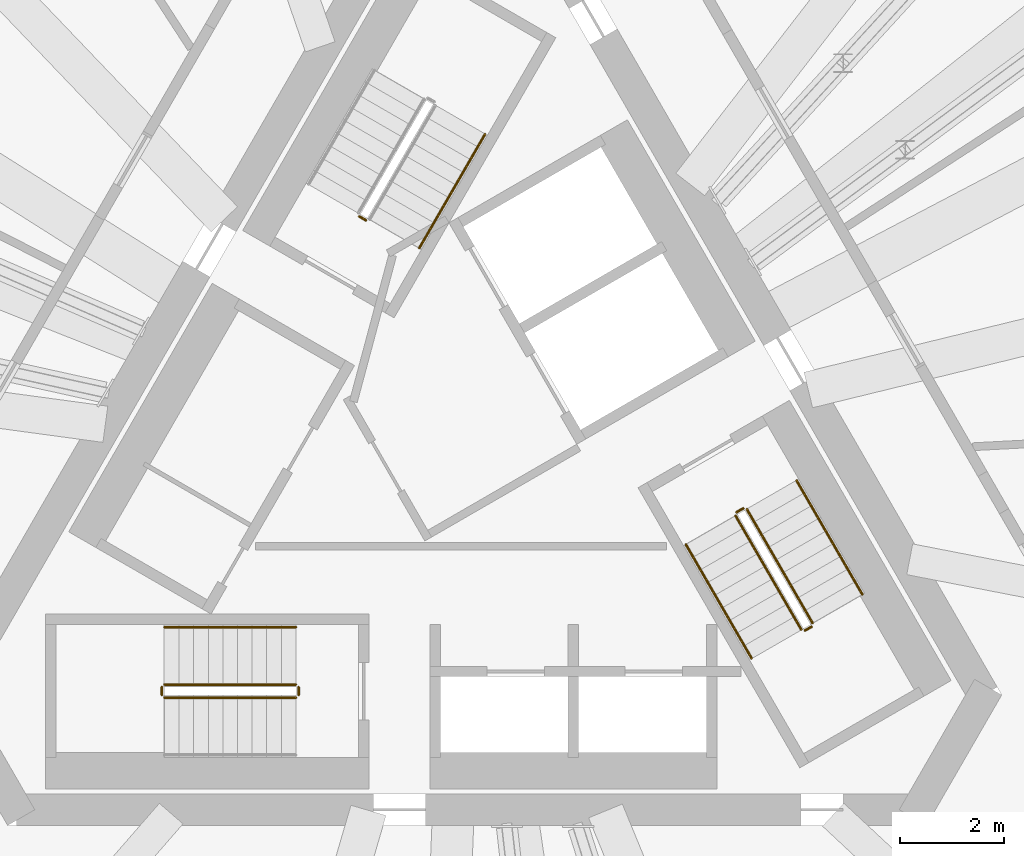
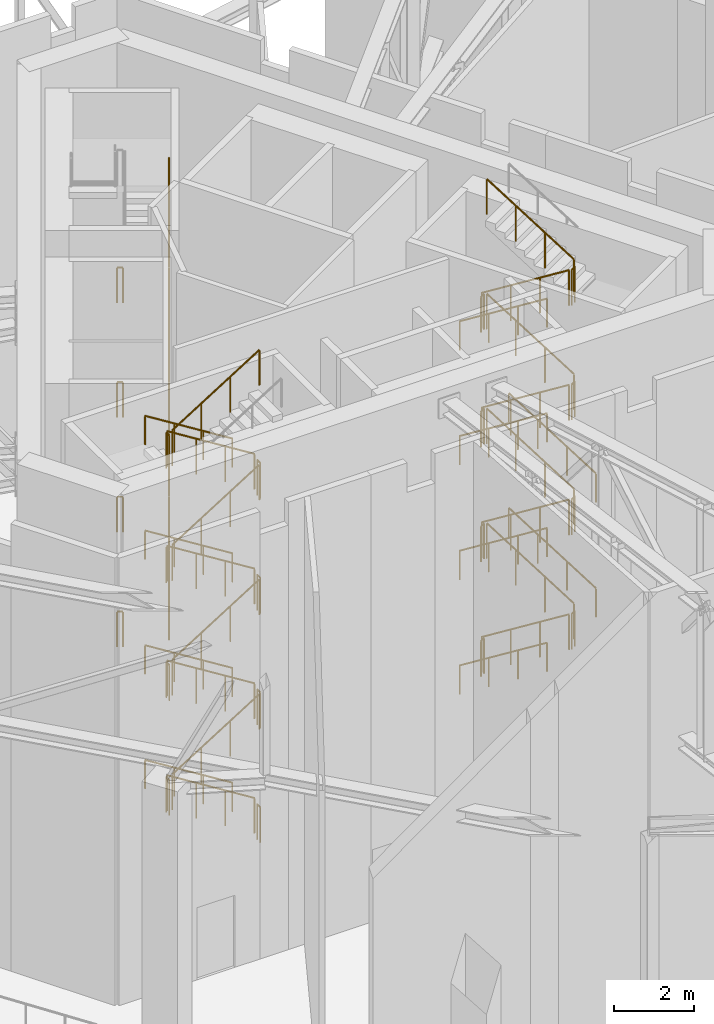
# One storey, part 21 of 23: 50 railings.
"""IFC4 building model written with IfcOpenShell, lengths in metres."""

from ifc_helpers import new_model, si_unit, direction, frame, origin, origin_2d, place, context, subcontext, project, spatial, circle, extrude, material, type_object, element, save


model = new_model("IFC4")

# Units and contexts
model_context = context("Model", 3, precision=1e-05, world=origin(), true_north=direction((0.0, 1.0)))
body_context = subcontext(model_context, "Body", "Model", "MODEL_VIEW")
ifc_project = project(units=[si_unit("LENGTHUNIT", "METRE"), si_unit("AREAUNIT", "SQUARE_METRE"), si_unit("VOLUMEUNIT", "CUBIC_METRE"), si_unit("PLANEANGLEUNIT", "RADIAN"), si_unit("MASSUNIT", "GRAM", prefix="KILO")], contexts=[model_context])

# Site, building, storey
site_placement = place(None, origin())
site = spatial("IfcSite", under=ifc_project, at=site_placement, CompositionType="ELEMENT")
building_placement = place(site_placement, origin())
building = spatial("IfcBuilding", under=site, at=building_placement, Name="Tramontana Tower", CompositionType="ELEMENT")
storey_placement = place(building_placement, frame((0.0, 0.0, 306.39990234375)))
storey = spatial("IfcBuildingStorey", under=building, at=storey_placement, Name="L72", CompositionType="ELEMENT", Elevation=306.39990234375)

# Railings
ifc_material_1 = material(Name="Painted steel", Category="steel")
railing_type_1 = type_object("IfcRailingType", Name="STAIR GUARD 1100", PredefinedType="GUARDRAIL", material=ifc_material_1)
for number, where, name in (
    (1, (-1.935791015625, 4.84716796875, 3.5), "L72 ST1 stair guard 10"),
    (2, (-1.935791015625, 4.84716796875, 7.0), "L72 ST1 stair guard 12"),
    (3, (-1.935791015625, 4.84716796875, 10.5), "L72 ST1 stair guard 14"),
    (4, (-1.935791015625, 4.84716796875, 0.0), "L72 ST1 stair guard 16"),
):
    element("IfcRailing", number, at=place(storey_placement, frame(where)), inside=storey, type_object=railing_type_1, Name=name, PredefinedType="GUARDRAIL", context=body_context, shape_type="SweptSolid", body=[
        extrude(circle(Radius=0.02392578125, at=origin_2d()), frame((0.0, 0.0, 1.076171875), z_axis=(-0.865426285481, 0.501036270542, 0.0), x_axis=(-0.501036270542, -0.865426285481, 0.0)), (0.0, 0.0, 1.0), 0.150146484375),
        extrude(circle(Radius=0.02099609375, at=origin_2d()), origin(), (0.0, 0.0, 1.0), 1.052001953125),
        extrude(circle(Radius=0.02099609375, at=origin_2d()), frame((-0.1298828125, 0.0751953125, 0.0)), (0.0, 0.0, 1.0), 1.052001953125),
    ])
railing_1_placement = place(storey_placement, frame((-3.280029296875, -4.050048828125, 0.175048828125)))
element("IfcRailing", 5, at=railing_1_placement, inside=storey, type_object=railing_type_1, Name="L72 ST2 stair guard 1", PredefinedType="GUARDRAIL", context=body_context, shape_type="SweptSolid", body=[
    extrude(circle(Radius=0.02392578125, at=origin_2d()), frame((0.0, 0.0, 1.076171875), z_axis=(-0.848007534815, 0.0, 0.529984170421), x_axis=(0.0, -1.0, 0.0)), (0.0, 0.0, 1.0), 2.9716796875),
    extrude(circle(Radius=0.02099609375, at=origin_2d()), origin(), (0.0, 0.0, 1.0), 1.052001953125),
    extrude(circle(Radius=0.02099609375, at=origin_2d()), frame((-0.840087890625, 0.0, 0.52490234375)), (0.0, 0.0, 1.0), 1.052001953125),
    extrude(circle(Radius=0.02099609375, at=origin_2d()), frame((-1.679931640625, 0.0, 1.050048828125)), (0.0, 0.0, 1.0), 1.052001953125),
    extrude(circle(Radius=0.02099609375, at=origin_2d()), frame((-2.52001953125, 0.0, 1.574951171875)), (0.0, 0.0, 1.0), 1.052001953125),
])
railing_2_placement = place(storey_placement, frame((-5.800048828125, -4.300048828125, 1.925048828125)))
element("IfcRailing", 6, at=railing_2_placement, inside=storey, type_object=railing_type_1, Name="L72 ST2 stair guard 2", PredefinedType="GUARDRAIL", context=body_context, shape_type="SweptSolid", body=[
    extrude(circle(Radius=0.02392578125, at=origin_2d()), frame((0.0, 0.0, 1.076171875), z_axis=(0.848007534815, 0.0, 0.529984170421), x_axis=(0.0, 1.0, 0.0)), (0.0, 0.0, 1.0), 2.9716796875),
    extrude(circle(Radius=0.02099609375, at=origin_2d()), origin(), (0.0, 0.0, 1.0), 1.052001953125),
    extrude(circle(Radius=0.02099609375, at=origin_2d()), frame((0.840087890625, 0.0, 0.52490234375)), (0.0, 0.0, 1.0), 1.052001953125),
    extrude(circle(Radius=0.02099609375, at=origin_2d()), frame((1.679931640625, 0.0, 1.050048828125)), (0.0, 0.0, 1.0), 1.052001953125),
    extrude(circle(Radius=0.02099609375, at=origin_2d()), frame((2.52001953125, 0.0, 1.574951171875)), (0.0, 0.0, 1.0), 1.052001953125),
])
railing_3_placement = place(storey_placement, frame((-3.280029296875, -4.050048828125, 3.675048828125)))
element("IfcRailing", 7, at=railing_3_placement, inside=storey, type_object=railing_type_1, Name="L72 ST2 stair guard 3", PredefinedType="GUARDRAIL", context=body_context, shape_type="SweptSolid", body=[
    extrude(circle(Radius=0.02392578125, at=origin_2d()), frame((0.0, 0.0, 1.076171875), z_axis=(-0.848007534815, 0.0, 0.529984170421), x_axis=(0.0, -1.0, 0.0)), (0.0, 0.0, 1.0), 2.9716796875),
    extrude(circle(Radius=0.02099609375, at=origin_2d()), origin(), (0.0, 0.0, 1.0), 1.052001953125),
    extrude(circle(Radius=0.02099609375, at=origin_2d()), frame((-0.840087890625, 0.0, 0.52490234375)), (0.0, 0.0, 1.0), 1.052001953125),
    extrude(circle(Radius=0.02099609375, at=origin_2d()), frame((-1.679931640625, 0.0, 1.050048828125)), (0.0, 0.0, 1.0), 1.052001953125),
    extrude(circle(Radius=0.02099609375, at=origin_2d()), frame((-2.52001953125, 0.0, 1.574951171875)), (0.0, 0.0, 1.0), 1.052001953125),
])
railing_4_placement = place(storey_placement, frame((-5.800048828125, -4.300048828125, 5.425048828125)))
element("IfcRailing", 8, at=railing_4_placement, inside=storey, type_object=railing_type_1, Name="L72 ST2 stair guard 4", PredefinedType="GUARDRAIL", context=body_context, shape_type="SweptSolid", body=[
    extrude(circle(Radius=0.02392578125, at=origin_2d()), frame((0.0, 0.0, 1.076171875), z_axis=(0.848007534815, 0.0, 0.529984170421), x_axis=(0.0, 1.0, 0.0)), (0.0, 0.0, 1.0), 2.9716796875),
    extrude(circle(Radius=0.02099609375, at=origin_2d()), origin(), (0.0, 0.0, 1.0), 1.052001953125),
    extrude(circle(Radius=0.02099609375, at=origin_2d()), frame((0.840087890625, 0.0, 0.52490234375)), (0.0, 0.0, 1.0), 1.052001953125),
    extrude(circle(Radius=0.02099609375, at=origin_2d()), frame((1.679931640625, 0.0, 1.050048828125)), (0.0, 0.0, 1.0), 1.052001953125),
    extrude(circle(Radius=0.02099609375, at=origin_2d()), frame((2.52001953125, 0.0, 1.574951171875)), (0.0, 0.0, 1.0), 1.052001953125),
])
railing_5_placement = place(storey_placement, frame((-3.280029296875, -4.050048828125, 7.175048828125)))
element("IfcRailing", 9, at=railing_5_placement, inside=storey, type_object=railing_type_1, Name="L72 ST2 stair guard 5", PredefinedType="GUARDRAIL", context=body_context, shape_type="SweptSolid", body=[
    extrude(circle(Radius=0.02392578125, at=origin_2d()), frame((0.0, 0.0, 1.076171875), z_axis=(-0.848007534815, 0.0, 0.529984170421), x_axis=(0.0, -1.0, 0.0)), (0.0, 0.0, 1.0), 2.9716796875),
    extrude(circle(Radius=0.02099609375, at=origin_2d()), origin(), (0.0, 0.0, 1.0), 1.052001953125),
    extrude(circle(Radius=0.02099609375, at=origin_2d()), frame((-0.840087890625, 0.0, 0.52490234375)), (0.0, 0.0, 1.0), 1.052001953125),
    extrude(circle(Radius=0.02099609375, at=origin_2d()), frame((-1.679931640625, 0.0, 1.050048828125)), (0.0, 0.0, 1.0), 1.052001953125),
    extrude(circle(Radius=0.02099609375, at=origin_2d()), frame((-2.52001953125, 0.0, 1.574951171875)), (0.0, 0.0, 1.0), 1.052001953125),
])
railing_6_placement = place(storey_placement, frame((-5.800048828125, -4.300048828125, 8.925048828125)))
element("IfcRailing", 10, at=railing_6_placement, inside=storey, type_object=railing_type_1, Name="L72 ST2 stair guard 6", PredefinedType="GUARDRAIL", context=body_context, shape_type="SweptSolid", body=[
    extrude(circle(Radius=0.02392578125, at=origin_2d()), frame((0.0, 0.0, 1.076171875), z_axis=(0.848007534815, 0.0, 0.529984170421), x_axis=(0.0, 1.0, 0.0)), (0.0, 0.0, 1.0), 2.9716796875),
    extrude(circle(Radius=0.02099609375, at=origin_2d()), origin(), (0.0, 0.0, 1.0), 1.052001953125),
    extrude(circle(Radius=0.02099609375, at=origin_2d()), frame((0.840087890625, 0.0, 0.52490234375)), (0.0, 0.0, 1.0), 1.052001953125),
    extrude(circle(Radius=0.02099609375, at=origin_2d()), frame((1.679931640625, 0.0, 1.050048828125)), (0.0, 0.0, 1.0), 1.052001953125),
    extrude(circle(Radius=0.02099609375, at=origin_2d()), frame((2.52001953125, 0.0, 1.574951171875)), (0.0, 0.0, 1.0), 1.052001953125),
])
railing_7_placement = place(storey_placement, frame((-3.280029296875, -4.050048828125, 10.675048828125)))
element("IfcRailing", 11, at=railing_7_placement, inside=storey, type_object=railing_type_1, Name="L72 ST2 stair guard 7", PredefinedType="GUARDRAIL", context=body_context, shape_type="SweptSolid", body=[
    extrude(circle(Radius=0.02392578125, at=origin_2d()), frame((0.0, 0.0, 1.076171875), z_axis=(-0.848007534815, 0.0, 0.529984170421), x_axis=(0.0, -1.0, 0.0)), (0.0, 0.0, 1.0), 2.9716796875),
    extrude(circle(Radius=0.02099609375, at=origin_2d()), origin(), (0.0, 0.0, 1.0), 1.052001953125),
    extrude(circle(Radius=0.02099609375, at=origin_2d()), frame((-0.840087890625, 0.0, 0.52490234375)), (0.0, 0.0, 1.0), 1.052001953125),
    extrude(circle(Radius=0.02099609375, at=origin_2d()), frame((-1.679931640625, 0.0, 1.050048828125)), (0.0, 0.0, 1.0), 1.052001953125),
    extrude(circle(Radius=0.02099609375, at=origin_2d()), frame((-2.52001953125, 0.0, 1.574951171875)), (0.0, 0.0, 1.0), 1.052001953125),
])
railing_8_placement = place(storey_placement, frame((-5.800048828125, -4.300048828125, 12.425048828125)))
element("IfcRailing", 12, at=railing_8_placement, inside=storey, type_object=railing_type_1, Name="L72 ST2 stair guard 8", PredefinedType="GUARDRAIL", context=body_context, shape_type="SweptSolid", body=[
    extrude(circle(Radius=0.02392578125, at=origin_2d()), frame((0.0, 0.0, 1.076171875), z_axis=(0.848007534815, 0.0, 0.529984170421), x_axis=(0.0, 1.0, 0.0)), (0.0, 0.0, 1.0), 2.9716796875),
    extrude(circle(Radius=0.02099609375, at=origin_2d()), origin(), (0.0, 0.0, 1.0), 1.052001953125),
    extrude(circle(Radius=0.02099609375, at=origin_2d()), frame((0.840087890625, 0.0, 0.52490234375)), (0.0, 0.0, 1.0), 1.052001953125),
    extrude(circle(Radius=0.02099609375, at=origin_2d()), frame((1.679931640625, 0.0, 1.050048828125)), (0.0, 0.0, 1.0), 1.052001953125),
    extrude(circle(Radius=0.02099609375, at=origin_2d()), frame((2.52001953125, 0.0, 1.574951171875)), (0.0, 0.0, 1.0), 1.052001953125),
])
for number, where, name in (
    (13, (-5.85009765625, -4.10009765625, 1.75), "L72 ST2 stair guard 9"),
    (14, (-3.22998046875, -4.10009765625, 3.5), "L72 ST2 stair guard 10"),
    (15, (-5.85009765625, -4.10009765625, 5.25), "L72 ST2 stair guard 11"),
    (16, (-3.22998046875, -4.10009765625, 7.0), "L72 ST2 stair guard 12"),
    (17, (-5.85009765625, -4.10009765625, 8.75), "L72 ST2 stair guard 13"),
    (18, (-3.22998046875, -4.10009765625, 10.5), "L72 ST2 stair guard 14"),
    (19, (-5.85009765625, -4.10009765625, 12.25), "L72 ST2 stair guard 15"),
    (20, (-3.22998046875, -4.10009765625, 0.0), "L72 ST2 stair guard 16"),
):
    element("IfcRailing", number, at=place(storey_placement, frame(where)), inside=storey, type_object=railing_type_1, Name=name, PredefinedType="GUARDRAIL", context=body_context, shape_type="SweptSolid", body=[
        extrude(circle(Radius=0.02392578125, at=origin_2d()), frame((0.0, 0.0, 1.076171875), z_axis=(0.0, -1.0, 0.0), x_axis=(1.0, 0.0, 0.0)), (0.0, 0.0, 1.0), 0.14990234375),
        extrude(circle(Radius=0.02099609375, at=origin_2d()), origin(), (0.0, 0.0, 1.0), 1.052001953125),
        extrude(circle(Radius=0.02099609375, at=origin_2d()), frame((0.0, -0.14990234375, 0.0)), (0.0, 0.0, 1.0), 1.052001953125),
    ])
railing_9_placement = place(storey_placement, frame((5.1474609375, -0.815673828125, 0.175048828125)))
element("IfcRailing", 21, at=railing_9_placement, inside=storey, type_object=railing_type_1, Name="L72 ST3 stair guard 1", PredefinedType="GUARDRAIL", context=body_context, shape_type="SweptSolid", body=[
    extrude(circle(Radius=0.02392578125, at=origin_2d()), frame((0.0, 0.0, 1.076171875), z_axis=(0.42400668935, -0.73439174503, 0.529987822708), x_axis=(0.866022637375, 0.500004791531, 0.0)), (0.0, 0.0, 1.0), 2.9716796875),
    extrude(circle(Radius=0.02099609375, at=origin_2d()), origin(), (0.0, 0.0, 1.0), 1.052001953125),
    extrude(circle(Radius=0.02099609375, at=origin_2d()), frame((0.419921875, -0.7275390625, 0.52490234375)), (0.0, 0.0, 1.0), 1.052001953125),
    extrude(circle(Radius=0.02099609375, at=origin_2d()), frame((0.840087890625, -1.454833984375, 1.050048828125)), (0.0, 0.0, 1.0), 1.052001953125),
    extrude(circle(Radius=0.02099609375, at=origin_2d()), frame((1.260009765625, -2.182373046875, 1.574951171875)), (0.0, 0.0, 1.0), 1.052001953125),
])
railing_10_placement = place(storey_placement, frame((6.6240234375, -2.873046875, 1.925048828125)))
element("IfcRailing", 22, at=railing_10_placement, inside=storey, type_object=railing_type_1, Name="L72 ST3 stair guard 2", PredefinedType="GUARDRAIL", context=body_context, shape_type="SweptSolid", body=[
    extrude(circle(Radius=0.02392578125, at=origin_2d()), frame((0.0, 0.0, 1.076171875), z_axis=(-0.42400668935, 0.73439174503, 0.529987822708), x_axis=(-0.866022637375, -0.500004791531, 0.0)), (0.0, 0.0, 1.0), 2.9716796875),
    extrude(circle(Radius=0.02099609375, at=origin_2d()), origin(), (0.0, 0.0, 1.0), 1.052001953125),
    extrude(circle(Radius=0.02099609375, at=origin_2d()), frame((-0.419921875, 0.7275390625, 0.52490234375)), (0.0, 0.0, 1.0), 1.052001953125),
    extrude(circle(Radius=0.02099609375, at=origin_2d()), frame((-0.840087890625, 1.454833984375, 1.050048828125)), (0.0, 0.0, 1.0), 1.052001953125),
    extrude(circle(Radius=0.02099609375, at=origin_2d()), frame((-1.260009765625, 2.182373046875, 1.574951171875)), (0.0, 0.0, 1.0), 1.052001953125),
])
railing_11_placement = place(storey_placement, frame((5.1474609375, -0.815673828125, 3.675048828125)))
element("IfcRailing", 23, at=railing_11_placement, inside=storey, type_object=railing_type_1, Name="L72 ST3 stair guard 3", PredefinedType="GUARDRAIL", context=body_context, shape_type="SweptSolid", body=[
    extrude(circle(Radius=0.02392578125, at=origin_2d()), frame((0.0, 0.0, 1.076171875), z_axis=(0.42400668935, -0.73439174503, 0.529987822708), x_axis=(0.866022637375, 0.500004791531, 0.0)), (0.0, 0.0, 1.0), 2.9716796875),
    extrude(circle(Radius=0.02099609375, at=origin_2d()), origin(), (0.0, 0.0, 1.0), 1.052001953125),
    extrude(circle(Radius=0.02099609375, at=origin_2d()), frame((0.419921875, -0.7275390625, 0.52490234375)), (0.0, 0.0, 1.0), 1.052001953125),
    extrude(circle(Radius=0.02099609375, at=origin_2d()), frame((0.840087890625, -1.454833984375, 1.050048828125)), (0.0, 0.0, 1.0), 1.052001953125),
    extrude(circle(Radius=0.02099609375, at=origin_2d()), frame((1.260009765625, -2.182373046875, 1.574951171875)), (0.0, 0.0, 1.0), 1.052001953125),
])
railing_12_placement = place(storey_placement, frame((6.6240234375, -2.873046875, 5.425048828125)))
element("IfcRailing", 24, at=railing_12_placement, inside=storey, type_object=railing_type_1, Name="L72 ST3 stair guard 4", PredefinedType="GUARDRAIL", context=body_context, shape_type="SweptSolid", body=[
    extrude(circle(Radius=0.02392578125, at=origin_2d()), frame((0.0, 0.0, 1.076171875), z_axis=(-0.42400668935, 0.73439174503, 0.529987822708), x_axis=(-0.866022637375, -0.500004791531, 0.0)), (0.0, 0.0, 1.0), 2.9716796875),
    extrude(circle(Radius=0.02099609375, at=origin_2d()), origin(), (0.0, 0.0, 1.0), 1.052001953125),
    extrude(circle(Radius=0.02099609375, at=origin_2d()), frame((-0.419921875, 0.7275390625, 0.52490234375)), (0.0, 0.0, 1.0), 1.052001953125),
    extrude(circle(Radius=0.02099609375, at=origin_2d()), frame((-0.840087890625, 1.454833984375, 1.050048828125)), (0.0, 0.0, 1.0), 1.052001953125),
    extrude(circle(Radius=0.02099609375, at=origin_2d()), frame((-1.260009765625, 2.182373046875, 1.574951171875)), (0.0, 0.0, 1.0), 1.052001953125),
])
railing_13_placement = place(storey_placement, frame((5.1474609375, -0.815673828125, 7.175048828125)))
element("IfcRailing", 25, at=railing_13_placement, inside=storey, type_object=railing_type_1, Name="L72 ST3 stair guard 5", PredefinedType="GUARDRAIL", context=body_context, shape_type="SweptSolid", body=[
    extrude(circle(Radius=0.02392578125, at=origin_2d()), frame((0.0, 0.0, 1.076171875), z_axis=(0.42400668935, -0.73439174503, 0.529987822708), x_axis=(0.866022637375, 0.500004791531, 0.0)), (0.0, 0.0, 1.0), 2.9716796875),
    extrude(circle(Radius=0.02099609375, at=origin_2d()), origin(), (0.0, 0.0, 1.0), 1.052001953125),
    extrude(circle(Radius=0.02099609375, at=origin_2d()), frame((0.419921875, -0.7275390625, 0.52490234375)), (0.0, 0.0, 1.0), 1.052001953125),
    extrude(circle(Radius=0.02099609375, at=origin_2d()), frame((0.840087890625, -1.454833984375, 1.050048828125)), (0.0, 0.0, 1.0), 1.052001953125),
    extrude(circle(Radius=0.02099609375, at=origin_2d()), frame((1.260009765625, -2.182373046875, 1.574951171875)), (0.0, 0.0, 1.0), 1.052001953125),
])
railing_14_placement = place(storey_placement, frame((6.6240234375, -2.873046875, 8.925048828125)))
element("IfcRailing", 26, at=railing_14_placement, inside=storey, type_object=railing_type_1, Name="L72 ST3 stair guard 6", PredefinedType="GUARDRAIL", context=body_context, shape_type="SweptSolid", body=[
    extrude(circle(Radius=0.02392578125, at=origin_2d()), frame((0.0, 0.0, 1.076171875), z_axis=(-0.42400668935, 0.73439174503, 0.529987822708), x_axis=(-0.866022637375, -0.500004791531, 0.0)), (0.0, 0.0, 1.0), 2.9716796875),
    extrude(circle(Radius=0.02099609375, at=origin_2d()), origin(), (0.0, 0.0, 1.0), 1.052001953125),
    extrude(circle(Radius=0.02099609375, at=origin_2d()), frame((-0.419921875, 0.7275390625, 0.52490234375)), (0.0, 0.0, 1.0), 1.052001953125),
    extrude(circle(Radius=0.02099609375, at=origin_2d()), frame((-0.840087890625, 1.454833984375, 1.050048828125)), (0.0, 0.0, 1.0), 1.052001953125),
    extrude(circle(Radius=0.02099609375, at=origin_2d()), frame((-1.260009765625, 2.182373046875, 1.574951171875)), (0.0, 0.0, 1.0), 1.052001953125),
])
railing_15_placement = place(storey_placement, frame((5.1474609375, -0.815673828125, 10.675048828125)))
element("IfcRailing", 27, at=railing_15_placement, inside=storey, type_object=railing_type_1, Name="L72 ST3 stair guard 7", PredefinedType="GUARDRAIL", context=body_context, shape_type="SweptSolid", body=[
    extrude(circle(Radius=0.02392578125, at=origin_2d()), frame((0.0, 0.0, 1.076171875), z_axis=(0.42400668935, -0.73439174503, 0.529987822708), x_axis=(0.866022637375, 0.500004791531, 0.0)), (0.0, 0.0, 1.0), 2.9716796875),
    extrude(circle(Radius=0.02099609375, at=origin_2d()), origin(), (0.0, 0.0, 1.0), 1.052001953125),
    extrude(circle(Radius=0.02099609375, at=origin_2d()), frame((0.419921875, -0.7275390625, 0.52490234375)), (0.0, 0.0, 1.0), 1.052001953125),
    extrude(circle(Radius=0.02099609375, at=origin_2d()), frame((0.840087890625, -1.454833984375, 1.050048828125)), (0.0, 0.0, 1.0), 1.052001953125),
    extrude(circle(Radius=0.02099609375, at=origin_2d()), frame((1.260009765625, -2.182373046875, 1.574951171875)), (0.0, 0.0, 1.0), 1.052001953125),
])
railing_16_placement = place(storey_placement, frame((6.6240234375, -2.873046875, 12.425048828125)))
element("IfcRailing", 28, at=railing_16_placement, inside=storey, type_object=railing_type_1, Name="L72 ST3 stair guard 8", PredefinedType="GUARDRAIL", context=body_context, shape_type="SweptSolid", body=[
    extrude(circle(Radius=0.02392578125, at=origin_2d()), frame((0.0, 0.0, 1.076171875), z_axis=(-0.42400668935, 0.73439174503, 0.529987822708), x_axis=(-0.866022637375, -0.500004791531, 0.0)), (0.0, 0.0, 1.0), 2.9716796875),
    extrude(circle(Radius=0.02099609375, at=origin_2d()), origin(), (0.0, 0.0, 1.0), 1.052001953125),
    extrude(circle(Radius=0.02099609375, at=origin_2d()), frame((-0.419921875, 0.7275390625, 0.52490234375)), (0.0, 0.0, 1.0), 1.052001953125),
    extrude(circle(Radius=0.02099609375, at=origin_2d()), frame((-0.840087890625, 1.454833984375, 1.050048828125)), (0.0, 0.0, 1.0), 1.052001953125),
    extrude(circle(Radius=0.02099609375, at=origin_2d()), frame((-1.260009765625, 2.182373046875, 1.574951171875)), (0.0, 0.0, 1.0), 1.052001953125),
])
railing_17_placement = place(storey_placement, frame((6.4755859375, -3.016357421875, 1.75)))
element("IfcRailing", 29, at=railing_17_placement, inside=storey, type_object=railing_type_1, Name="L72 ST3 stair guard 9", PredefinedType="GUARDRAIL", context=body_context, shape_type="SweptSolid", body=[
    extrude(circle(Radius=0.02392578125, at=origin_2d()), frame((0.0, 0.0, 1.076171875), z_axis=(0.865833797362, 0.500331725305, 0.0), x_axis=(-0.500331725305, 0.865833797362, 0.0)), (0.0, 0.0, 1.0), 0.150390625),
    extrude(circle(Radius=0.02099609375, at=origin_2d()), origin(), (0.0, 0.0, 1.0), 1.052001953125),
    extrude(circle(Radius=0.02099609375, at=origin_2d()), frame((0.130126953125, 0.0751953125, 0.0)), (0.0, 0.0, 1.0), 1.052001953125),
])
railing_18_placement = place(storey_placement, frame((5.165771484375, -0.747314453125, 3.5)))
element("IfcRailing", 30, at=railing_18_placement, inside=storey, type_object=railing_type_1, Name="L72 ST3 stair guard 10", PredefinedType="GUARDRAIL", context=body_context, shape_type="SweptSolid", body=[
    extrude(circle(Radius=0.02392578125, at=origin_2d()), frame((0.0, 0.0, 1.076171875), z_axis=(0.866131372301, 0.499816412211, 0.0), x_axis=(-0.499816412211, 0.866131372301, 0.0)), (0.0, 0.0, 1.0), 0.14990234375),
    extrude(circle(Radius=0.02099609375, at=origin_2d()), origin(), (0.0, 0.0, 1.0), 1.052001953125),
    extrude(circle(Radius=0.02099609375, at=origin_2d()), frame((0.1298828125, 0.074951171875, 0.0)), (0.0, 0.0, 1.0), 1.052001953125),
])
railing_19_placement = place(storey_placement, frame((6.4755859375, -3.016357421875, 5.25)))
element("IfcRailing", 31, at=railing_19_placement, inside=storey, type_object=railing_type_1, Name="L72 ST3 stair guard 11", PredefinedType="GUARDRAIL", context=body_context, shape_type="SweptSolid", body=[
    extrude(circle(Radius=0.02392578125, at=origin_2d()), frame((0.0, 0.0, 1.076171875), z_axis=(0.865833797362, 0.500331725305, 0.0), x_axis=(-0.500331725305, 0.865833797362, 0.0)), (0.0, 0.0, 1.0), 0.150390625),
    extrude(circle(Radius=0.02099609375, at=origin_2d()), origin(), (0.0, 0.0, 1.0), 1.052001953125),
    extrude(circle(Radius=0.02099609375, at=origin_2d()), frame((0.130126953125, 0.0751953125, 0.0)), (0.0, 0.0, 1.0), 1.052001953125),
])
railing_20_placement = place(storey_placement, frame((5.165771484375, -0.747314453125, 7.0)))
element("IfcRailing", 32, at=railing_20_placement, inside=storey, type_object=railing_type_1, Name="L72 ST3 stair guard 12", PredefinedType="GUARDRAIL", context=body_context, shape_type="SweptSolid", body=[
    extrude(circle(Radius=0.02392578125, at=origin_2d()), frame((0.0, 0.0, 1.076171875), z_axis=(0.866131372301, 0.499816412211, 0.0), x_axis=(-0.499816412211, 0.866131372301, 0.0)), (0.0, 0.0, 1.0), 0.14990234375),
    extrude(circle(Radius=0.02099609375, at=origin_2d()), origin(), (0.0, 0.0, 1.0), 1.052001953125),
    extrude(circle(Radius=0.02099609375, at=origin_2d()), frame((0.1298828125, 0.074951171875, 0.0)), (0.0, 0.0, 1.0), 1.052001953125),
])
railing_21_placement = place(storey_placement, frame((6.4755859375, -3.016357421875, 8.75)))
element("IfcRailing", 33, at=railing_21_placement, inside=storey, type_object=railing_type_1, Name="L72 ST3 stair guard 13", PredefinedType="GUARDRAIL", context=body_context, shape_type="SweptSolid", body=[
    extrude(circle(Radius=0.02392578125, at=origin_2d()), frame((0.0, 0.0, 1.076171875), z_axis=(0.865833797362, 0.500331725305, 0.0), x_axis=(-0.500331725305, 0.865833797362, 0.0)), (0.0, 0.0, 1.0), 0.150390625),
    extrude(circle(Radius=0.02099609375, at=origin_2d()), origin(), (0.0, 0.0, 1.0), 1.052001953125),
    extrude(circle(Radius=0.02099609375, at=origin_2d()), frame((0.130126953125, 0.0751953125, 0.0)), (0.0, 0.0, 1.0), 1.052001953125),
])
railing_22_placement = place(storey_placement, frame((5.165771484375, -0.747314453125, 10.5)))
element("IfcRailing", 34, at=railing_22_placement, inside=storey, type_object=railing_type_1, Name="L72 ST3 stair guard 14", PredefinedType="GUARDRAIL", context=body_context, shape_type="SweptSolid", body=[
    extrude(circle(Radius=0.02392578125, at=origin_2d()), frame((0.0, 0.0, 1.076171875), z_axis=(0.866131372301, 0.499816412211, 0.0), x_axis=(-0.499816412211, 0.866131372301, 0.0)), (0.0, 0.0, 1.0), 0.14990234375),
    extrude(circle(Radius=0.02099609375, at=origin_2d()), origin(), (0.0, 0.0, 1.0), 1.052001953125),
    extrude(circle(Radius=0.02099609375, at=origin_2d()), frame((0.1298828125, 0.074951171875, 0.0)), (0.0, 0.0, 1.0), 1.052001953125),
])
railing_23_placement = place(storey_placement, frame((6.4755859375, -3.016357421875, 12.25)))
element("IfcRailing", 35, at=railing_23_placement, inside=storey, type_object=railing_type_1, Name="L72 ST3 stair guard 15", PredefinedType="GUARDRAIL", context=body_context, shape_type="SweptSolid", body=[
    extrude(circle(Radius=0.02392578125, at=origin_2d()), frame((0.0, 0.0, 1.076171875), z_axis=(0.865833797362, 0.500331725305, 0.0), x_axis=(-0.500331725305, 0.865833797362, 0.0)), (0.0, 0.0, 1.0), 0.150390625),
    extrude(circle(Radius=0.02099609375, at=origin_2d()), origin(), (0.0, 0.0, 1.0), 1.052001953125),
    extrude(circle(Radius=0.02099609375, at=origin_2d()), frame((0.130126953125, 0.0751953125, 0.0)), (0.0, 0.0, 1.0), 1.052001953125),
])
railing_24_placement = place(storey_placement, frame((5.165771484375, -0.747314453125, 0.0)))
element("IfcRailing", 36, at=railing_24_placement, inside=storey, type_object=railing_type_1, Name="L72 ST3 stair guard 16", PredefinedType="GUARDRAIL", context=body_context, shape_type="SweptSolid", body=[
    extrude(circle(Radius=0.02392578125, at=origin_2d()), frame((0.0, 0.0, 1.076171875), z_axis=(0.866131372301, 0.499816412211, 0.0), x_axis=(-0.499816412211, 0.866131372301, 0.0)), (0.0, 0.0, 1.0), 0.14990234375),
    extrude(circle(Radius=0.02099609375, at=origin_2d()), origin(), (0.0, 0.0, 1.0), 1.052001953125),
    extrude(circle(Radius=0.02099609375, at=origin_2d()), frame((0.1298828125, 0.074951171875, 0.0)), (0.0, 0.0, 1.0), 1.052001953125),
])
ifc_material_2 = material(Name="Painted steel", Category="steel")
railing_type_2 = type_object("IfcRailingType", Name="STAIR HANDRAIL 900", PredefinedType="HANDRAIL", material=ifc_material_2)
for number, where, name in (
    (37, (-0.914794921875, 4.315673828125, 0.175048828125), "L72 ST1 stair handrail 1"),
    (38, (-0.914794921875, 4.315673828125, 3.675048828125), "L72 ST1 stair handrail 3"),
    (39, (-0.914794921875, 4.315673828125, 7.175048828125), "L72 ST1 stair handrail 5"),
    (40, (-0.914794921875, 4.315673828125, 10.675048828125), "L72 ST1 stair handrail 7"),
):
    element("IfcRailing", number, at=place(storey_placement, frame(where)), inside=storey, type_object=railing_type_2, Name=name, PredefinedType="HANDRAIL", context=body_context, shape_type="SweptSolid", body=[
        extrude(circle(Radius=0.02392578125, at=origin_2d()), frame((0.0, 0.0, 0.8759765625), z_axis=(0.42400668935, 0.73439174503, 0.529987822708), x_axis=(-0.866022637375, 0.500004791531, 0.0)), (0.0, 0.0, 1.0), 2.9716796875),
        extrude(circle(Radius=0.02099609375, at=origin_2d()), origin(), (0.0, 0.0, 1.0), 0.851806640625),
        extrude(circle(Radius=0.02099609375, at=origin_2d()), frame((0.419921875, 0.7275390625, 0.52490234375)), (0.0, 0.0, 1.0), 0.851806640625),
        extrude(circle(Radius=0.02099609375, at=origin_2d()), frame((0.840087890625, 1.454833984375, 1.050048828125)), (0.0, 0.0, 1.0), 0.851806640625),
        extrude(circle(Radius=0.02099609375, at=origin_2d()), frame((1.260009765625, 2.182373046875, 1.574951171875)), (0.0, 0.0, 1.0), 0.851806640625),
    ])
for number, where, name in (
    (41, (-3.280029296875, -2.949951171875, 0.175048828125), "L72 ST2 stair handrail 1"),
    (42, (-3.280029296875, -2.949951171875, 3.675048828125), "L72 ST2 stair handrail 3"),
    (43, (-3.280029296875, -2.949951171875, 7.175048828125), "L72 ST2 stair handrail 5"),
    (44, (-3.280029296875, -2.949951171875, 10.675048828125), "L72 ST2 stair handrail 7"),
):
    element("IfcRailing", number, at=place(storey_placement, frame(where)), inside=storey, type_object=railing_type_2, Name=name, PredefinedType="HANDRAIL", context=body_context, shape_type="SweptSolid", body=[
        extrude(circle(Radius=0.02392578125, at=origin_2d()), frame((0.0, 0.0, 0.8759765625), z_axis=(-0.848007534815, 0.0, 0.529984170421), x_axis=(0.0, -1.0, 0.0)), (0.0, 0.0, 1.0), 2.9716796875),
        extrude(circle(Radius=0.02099609375, at=origin_2d()), origin(), (0.0, 0.0, 1.0), 0.851806640625),
        extrude(circle(Radius=0.02099609375, at=origin_2d()), frame((-0.840087890625, 0.0, 0.52490234375)), (0.0, 0.0, 1.0), 0.851806640625),
        extrude(circle(Radius=0.02099609375, at=origin_2d()), frame((-1.679931640625, 0.0, 1.050048828125)), (0.0, 0.0, 1.0), 0.851806640625),
        extrude(circle(Radius=0.02099609375, at=origin_2d()), frame((-2.52001953125, 0.0, 1.574951171875)), (0.0, 0.0, 1.0), 0.851806640625),
    ])
railing_25_placement = place(storey_placement, frame((4.19482421875, -1.365478515625, 0.175048828125)))
element("IfcRailing", 45, at=railing_25_placement, inside=storey, type_object=railing_type_2, Name="L72 ST3 stair handrail 1", PredefinedType="HANDRAIL", context=body_context, shape_type="SweptSolid", body=[
    extrude(circle(Radius=0.02392578125, at=origin_2d()), frame((0.0, 0.0, 0.8759765625), z_axis=(0.42400668935, -0.73439174503, 0.529987822708), x_axis=(0.866022637375, 0.500004791531, 0.0)), (0.0, 0.0, 1.0), 2.9716796875),
    extrude(circle(Radius=0.02099609375, at=origin_2d()), origin(), (0.0, 0.0, 1.0), 0.851806640625),
    extrude(circle(Radius=0.02099609375, at=origin_2d()), frame((0.419921875, -0.7275390625, 0.52490234375)), (0.0, 0.0, 1.0), 0.851806640625),
    extrude(circle(Radius=0.02099609375, at=origin_2d()), frame((0.840087890625, -1.454833984375, 1.050048828125)), (0.0, 0.0, 1.0), 0.851806640625),
    extrude(circle(Radius=0.02099609375, at=origin_2d()), frame((1.260009765625, -2.182373046875, 1.574951171875)), (0.0, 0.0, 1.0), 0.851806640625),
])
railing_26_placement = place(storey_placement, frame((7.576416015625, -2.322998046875, 1.925048828125)))
element("IfcRailing", 46, at=railing_26_placement, inside=storey, type_object=railing_type_2, Name="L72 ST3 stair handrail 2", PredefinedType="HANDRAIL", context=body_context, shape_type="SweptSolid", body=[
    extrude(circle(Radius=0.02392578125, at=origin_2d()), frame((0.0, 0.0, 0.8759765625), z_axis=(-0.42393930004, 0.734417326174, 0.530006283829), x_axis=(-0.866064587494, -0.499932125682, 0.0)), (0.0, 0.0, 1.0), 2.9716796875),
    extrude(circle(Radius=0.02099609375, at=origin_2d()), origin(), (0.0, 0.0, 1.0), 0.851806640625),
    extrude(circle(Radius=0.02099609375, at=origin_2d()), frame((-0.419921875, 0.7275390625, 0.52490234375)), (0.0, 0.0, 1.0), 0.851806640625),
    extrude(circle(Radius=0.02099609375, at=origin_2d()), frame((-0.83984375, 1.454833984375, 1.050048828125)), (0.0, 0.0, 1.0), 0.851806640625),
    extrude(circle(Radius=0.02099609375, at=origin_2d()), frame((-1.259765625, 2.182373046875, 1.574951171875)), (0.0, 0.0, 1.0), 0.851806640625),
])
railing_27_placement = place(storey_placement, frame((4.19482421875, -1.365478515625, 3.675048828125)))
element("IfcRailing", 47, at=railing_27_placement, inside=storey, type_object=railing_type_2, Name="L72 ST3 stair handrail 3", PredefinedType="HANDRAIL", context=body_context, shape_type="SweptSolid", body=[
    extrude(circle(Radius=0.02392578125, at=origin_2d()), frame((0.0, 0.0, 0.8759765625), z_axis=(0.42400668935, -0.73439174503, 0.529987822708), x_axis=(0.866022637375, 0.500004791531, 0.0)), (0.0, 0.0, 1.0), 2.9716796875),
    extrude(circle(Radius=0.02099609375, at=origin_2d()), origin(), (0.0, 0.0, 1.0), 0.851806640625),
    extrude(circle(Radius=0.02099609375, at=origin_2d()), frame((0.419921875, -0.7275390625, 0.52490234375)), (0.0, 0.0, 1.0), 0.851806640625),
    extrude(circle(Radius=0.02099609375, at=origin_2d()), frame((0.840087890625, -1.454833984375, 1.050048828125)), (0.0, 0.0, 1.0), 0.851806640625),
    extrude(circle(Radius=0.02099609375, at=origin_2d()), frame((1.260009765625, -2.182373046875, 1.574951171875)), (0.0, 0.0, 1.0), 0.851806640625),
])
railing_28_placement = place(storey_placement, frame((7.576416015625, -2.322998046875, 5.425048828125)))
element("IfcRailing", 48, at=railing_28_placement, inside=storey, type_object=railing_type_2, Name="L72 ST3 stair handrail 4", PredefinedType="HANDRAIL", context=body_context, shape_type="SweptSolid", body=[
    extrude(circle(Radius=0.02392578125, at=origin_2d()), frame((0.0, 0.0, 0.8759765625), z_axis=(-0.42393930004, 0.734417326174, 0.530006283829), x_axis=(-0.866064587494, -0.499932125682, 0.0)), (0.0, 0.0, 1.0), 2.9716796875),
    extrude(circle(Radius=0.02099609375, at=origin_2d()), origin(), (0.0, 0.0, 1.0), 0.851806640625),
    extrude(circle(Radius=0.02099609375, at=origin_2d()), frame((-0.419921875, 0.7275390625, 0.52490234375)), (0.0, 0.0, 1.0), 0.851806640625),
    extrude(circle(Radius=0.02099609375, at=origin_2d()), frame((-0.83984375, 1.454833984375, 1.050048828125)), (0.0, 0.0, 1.0), 0.851806640625),
    extrude(circle(Radius=0.02099609375, at=origin_2d()), frame((-1.259765625, 2.182373046875, 1.574951171875)), (0.0, 0.0, 1.0), 0.851806640625),
])
for number, where, name in (
    (49, (4.19482421875, -1.365478515625, 7.175048828125), "L72 ST3 stair handrail 5"),
    (50, (4.19482421875, -1.365478515625, 10.675048828125), "L72 ST3 stair handrail 7"),
):
    element("IfcRailing", number, at=place(storey_placement, frame(where)), inside=storey, type_object=railing_type_2, Name=name, PredefinedType="HANDRAIL", context=body_context, shape_type="SweptSolid", body=[
        extrude(circle(Radius=0.02392578125, at=origin_2d()), frame((0.0, 0.0, 0.8759765625), z_axis=(0.42400668935, -0.73439174503, 0.529987822708), x_axis=(0.866022637375, 0.500004791531, 0.0)), (0.0, 0.0, 1.0), 2.9716796875),
        extrude(circle(Radius=0.02099609375, at=origin_2d()), origin(), (0.0, 0.0, 1.0), 0.851806640625),
        extrude(circle(Radius=0.02099609375, at=origin_2d()), frame((0.419921875, -0.7275390625, 0.52490234375)), (0.0, 0.0, 1.0), 0.851806640625),
        extrude(circle(Radius=0.02099609375, at=origin_2d()), frame((0.840087890625, -1.454833984375, 1.050048828125)), (0.0, 0.0, 1.0), 0.851806640625),
        extrude(circle(Radius=0.02099609375, at=origin_2d()), frame((1.260009765625, -2.182373046875, 1.574951171875)), (0.0, 0.0, 1.0), 0.851806640625),
    ])

save(model, "model.ifc")
